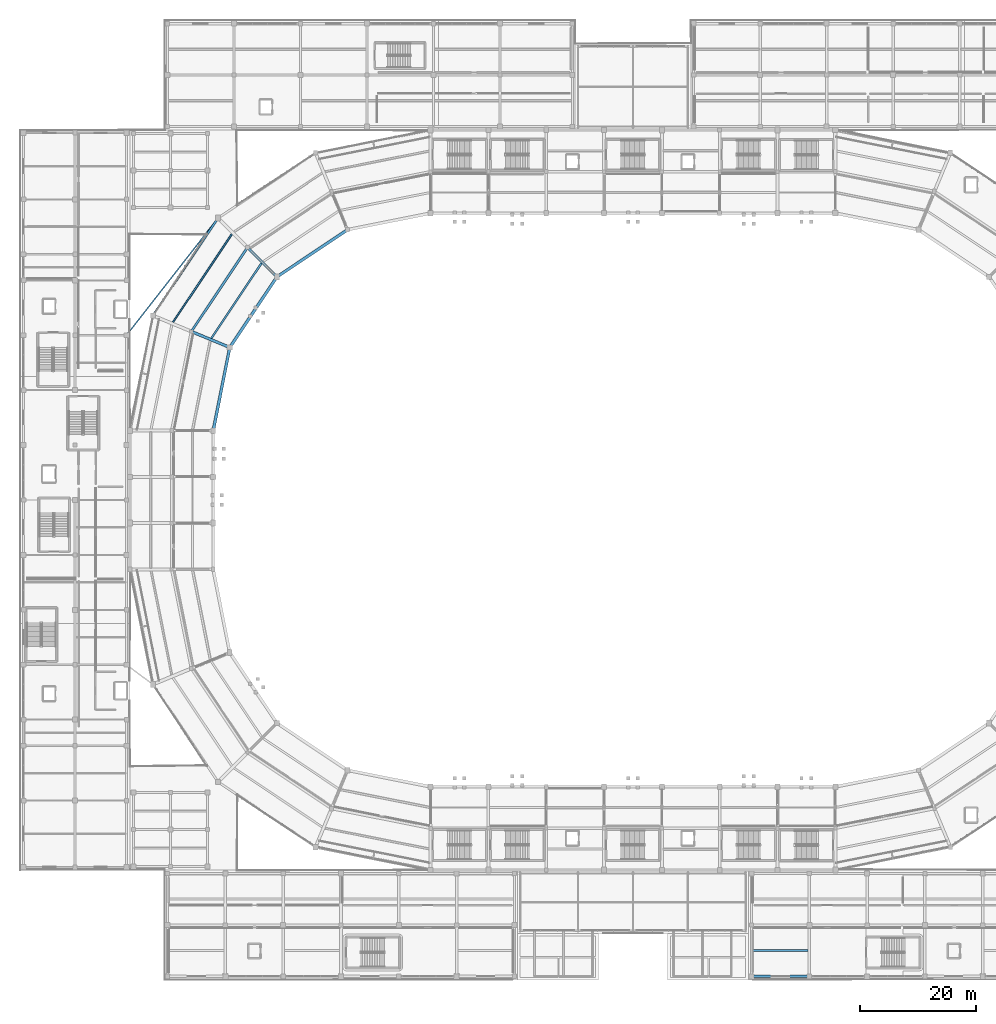
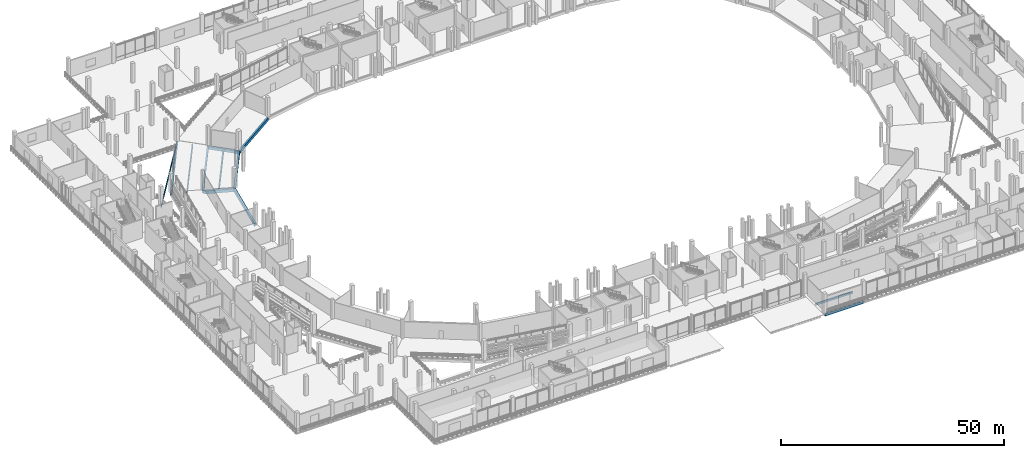
# One storey, part 32 of 114: 12 beams.
"""IFC4 building model written with IfcOpenShell, lengths in metres."""

from ifc_helpers import new_model, si_unit, direction, frame, origin, origin_2d, place, context, subcontext, project, spatial, rectangle, i_section, extrude, material, material_profile, profile_set, type_object, element, save


model = new_model("IFC4")

# Units and contexts
model_context = context("Model", 3, precision=1e-05, world=origin(), true_north=direction((0.0, 1.0)))
body_context = subcontext(model_context, "Body", "Model", "MODEL_VIEW")
ifc_project = project(units=[si_unit("LENGTHUNIT", "METRE"), si_unit("AREAUNIT", "SQUARE_METRE"), si_unit("VOLUMEUNIT", "CUBIC_METRE"), si_unit("PLANEANGLEUNIT", "RADIAN"), si_unit("MASSUNIT", "GRAM", prefix="KILO")], contexts=[model_context])

# Site, building, storey
site_placement = place(None, origin())
site = spatial("IfcSite", under=ifc_project, at=site_placement, CompositionType="ELEMENT")
building_placement = place(site_placement, origin())
building = spatial("IfcBuilding", under=site, at=building_placement, Name="Candeia Ridge Stadium", CompositionType="ELEMENT")
storey_placement = place(building_placement, frame((0.0, 0.0, 5.39990234375)))
storey = spatial("IfcBuildingStorey", under=building, at=storey_placement, Name="L01", CompositionType="ELEMENT", Elevation=5.39990234375)

# Beams
ifc_material_1 = material(Name="Concrete C40/50", Category="concrete")
ifc_material_profile_1 = material_profile(ifc_material_1, rectangle(XDim=0.27001953125, YDim=0.43994140625, at=origin_2d()), Name="RC270x440", Category="concrete")
ifc_profile_set_1 = profile_set([ifc_material_profile_1], Name="Concrete C40/50")
beam_type_1 = type_object("IfcBeamType", Name="Floor Joist RC270x440", PredefinedType="JOIST", material=ifc_profile_set_1)
beam_1_placement = place(storey_placement, frame((36.652587890625, 129.039306640625, -0.47998046875), z_axis=(-0.555573683674, -0.831467306639, 0.0), x_axis=(0.831467306639, -0.555573683674, 0.0)))
element("IfcBeam", 1, at=beam_1_placement, inside=storey, type_object=beam_type_1, Name="Concourse secondary joist BM-L01-0117", PredefinedType="JOIST", context=body_context, shape_type="SweptSolid", body=[
    extrude(rectangle(XDim=0.27001953125, YDim=0.43994140625, at=origin_2d()), origin(), (0.0, 0.0, 1.0), 18.440673828125),
])
ifc_material_profile_2 = material_profile(ifc_material_1, rectangle(XDim=0.320068359375, YDim=0.52001953125, at=origin_2d()), Name="RC320x520", Category="concrete")
ifc_profile_set_2 = profile_set([ifc_material_profile_2], Name="Concrete C40/50")
beam_type_2 = type_object("IfcBeamType", Name="Floor Joist RC320x520", PredefinedType="JOIST", material=ifc_profile_set_2)
beam_2_placement = place(storey_placement, frame((41.743896484375, 123.9482421875, -0.52001953125), z_axis=(-0.555568527312, -0.831470752017, 0.0), x_axis=(0.831470752017, -0.555568527312, 0.0)))
element("IfcBeam", 2, at=beam_2_placement, inside=storey, type_object=beam_type_2, Name="Concourse secondary joist BM-L01-0116", PredefinedType="JOIST", context=body_context, shape_type="SweptSolid", body=[
    extrude(rectangle(XDim=0.320068359375, YDim=0.52001953125, at=origin_2d()), origin(), (0.0, 0.0, 1.0), 15.63134765625),
])
ifc_material_profile_3 = material_profile(ifc_material_1, rectangle(XDim=0.35009765625, YDim=0.5, at=origin_2d()), Name="RC350x500", Category="concrete")
ifc_profile_set_3 = profile_set([ifc_material_profile_3], Name="Concrete C40/50")
beam_type_3 = type_object("IfcBeamType", Name="Floor Joist RC350x500", PredefinedType="JOIST", material=ifc_profile_set_3)
beam_3_placement = place(storey_placement, frame((126.674560546875, 5.050048828125, -0.510009765625), z_axis=(1.0, 0.0, 0.0), x_axis=(0.0, 1.0, 0.0)))
element("IfcBeam", 3, at=beam_3_placement, inside=storey, type_object=beam_type_3, Name="Wing secondary joist BM-L01-1992", PredefinedType="JOIST", context=body_context, shape_type="SweptSolid", body=[
    extrude(rectangle(XDim=0.35009765625, YDim=0.5, at=origin_2d()), origin(), (0.0, 0.0, 1.0), 9.600830078125),
])
ifc_material_profile_4 = material_profile(ifc_material_1, rectangle(XDim=0.429931640625, YDim=0.739990234375, at=origin_2d()), Name="RC430x740", Category="concrete")
ifc_profile_set_4 = profile_set([ifc_material_profile_4], Name="Concrete C40/50")
beam_type_4 = type_object("IfcBeamType", Name="Frame Girder RC430x740", PredefinedType="BEAM", material=ifc_profile_set_4)
beam_4_placement = place(storey_placement, frame((44.299560546875, 121.700439453125, -0.6298828125), z_axis=(-0.707106781187, 0.707106781187, 0.0), x_axis=(-0.707106781187, -0.707106781187, 0.0)))
element("IfcBeam", 4, at=beam_4_placement, inside=storey, type_object=beam_type_4, Name="Bowl radial girder BM-L01-0019", PredefinedType="BEAM", context=body_context, shape_type="SweptSolid", body=[
    extrude(rectangle(XDim=0.429931640625, YDim=0.739990234375, at=origin_2d()), origin(), (0.0, 0.0, 1.0), 6.8798828125),
])
ifc_material_2 = material(Name="Concrete C45/55", Category="concrete")
ifc_material_profile_5 = material_profile(ifc_material_2, rectangle(XDim=0.47998046875, YDim=0.820068359375, at=origin_2d()), Name="RC480x820", Category="concrete")
ifc_profile_set_5 = profile_set([ifc_material_profile_5], Name="Concrete C45/55")
beam_type_5 = type_object("IfcBeamType", Name="Frame Girder RC480x820", PredefinedType="BEAM", material=ifc_profile_set_5)
beam_5_placement = place(storey_placement, frame((36.1142578125, 109.4501953125, -0.669921875), z_axis=(-0.923880161031, 0.382681914982, 0.0), x_axis=(-0.382681914982, -0.923880161031, 0.0)))
element("IfcBeam", 5, at=beam_5_placement, inside=storey, type_object=beam_type_5, Name="Bowl radial girder BM-L01-0021", PredefinedType="BEAM", context=body_context, shape_type="SweptSolid", body=[
    extrude(rectangle(XDim=0.47998046875, YDim=0.820068359375, at=origin_2d()), origin(), (0.0, 0.0, 1.0), 6.8798828125),
])
ifc_material_profile_6 = material_profile(ifc_material_1, rectangle(XDim=0.5, YDim=0.800048828125, at=origin_2d()), Name="RC500x800", Category="concrete")
ifc_profile_set_6 = profile_set([ifc_material_profile_6], Name="Concrete C40/50")
beam_type_6 = type_object("IfcBeamType", Name="Frame Girder RC500x800", PredefinedType="BEAM", material=ifc_profile_set_6)
for number, where, z_axis, x_axis, name in (
    (6, (56.47802734375, 129.64892578125, -0.659912109375), (-0.831466176057, -0.55557537569, 0.0), (0.55557537569, -0.831466176057, 0.0), "Bowl inner ring girder BM-L01-0108"),
    (7, (44.323974609375, 121.4541015625, -0.659912109375), (-0.55557537569, -0.831466176057, 0.0), (0.831466176057, -0.55557537569, 0.0), "Bowl inner ring girder BM-L01-0113"),
    (8, (36.23095703125, 109.23193359375, -0.659912109375), (-0.195098555341, -0.980783642657, 0.0), (0.980783642657, -0.195098555341, 0.0), "Bowl inner ring girder BM-L01-0118"),
):
    element("IfcBeam", number, at=place(storey_placement, frame(where, z_axis=z_axis, x_axis=x_axis)), inside=storey, type_object=beam_type_6, Name=name, PredefinedType="BEAM", context=body_context, shape_type="SweptSolid", body=[
        extrude(rectangle(XDim=0.5, YDim=0.800048828125, at=origin_2d()), origin(), (0.0, 0.0, 1.0), 14.350830078125),
    ])
ifc_material_3 = material(Name="Steel ASTM A572 Grade 50", Category="steel")
ifc_material_profile_7 = material_profile(ifc_material_3, i_section(OverallWidth=0.208984375, OverallDepth=0.532958984375, WebThickness=0.01025390625, FlangeThickness=0.015625, FilletRadius=0.013916015625, at=origin_2d()), Name="W530x92", Category="steel")
ifc_profile_set_7 = profile_set([ifc_material_profile_7], Name="Steel ASTM A572 Grade 50")
beam_type_7 = type_object("IfcBeamType", Name="Gate Portal Girder W530x92", PredefinedType="BEAM", material=ifc_profile_set_7)
beam_6_placement = place(storey_placement, frame((18.4306640625, 111.539306640625, -0.556396484375), z_axis=(0.615520131568, 0.788121163042, 0.0), x_axis=(-0.788121163042, 0.615520131568, 0.0)))
element("IfcBeam", 9, at=beam_6_placement, inside=storey, type_object=beam_type_7, Name="Wing-to-bowl tie girder BM-L01-2546", PredefinedType="BEAM", context=body_context, shape_type="SweptSolid", body=[
    extrude(i_section(OverallWidth=0.208984375, OverallDepth=0.532958984375, WebThickness=0.01025390625, FlangeThickness=0.015625, FilletRadius=0.013916015625, at=origin_2d()), origin(), (0.0, 0.0, 1.0), 25.619140625),
])
ifc_material_profile_8 = material_profile(ifc_material_2, rectangle(XDim=0.3701171875, YDim=0.739990234375, at=origin_2d()), Name="RC370x740", Category="concrete")
ifc_profile_set_8 = profile_set([ifc_material_profile_8], Name="Concrete C45/55")
beam_type_8 = type_object("IfcBeamType", Name="Spandrel Beam RC370x740", PredefinedType="SPANDREL", material=ifc_profile_set_8)
beam_7_placement = place(storey_placement, frame((34.1416015625, 131.636474609375, -0.6298828125), z_axis=(-0.555571676938, -0.831468647505, 0.0), x_axis=(0.831468647505, -0.555571676938, 0.0)))
element("IfcBeam", 10, at=beam_7_placement, inside=storey, type_object=beam_type_8, Name="Bowl perimeter spandrel BM-L01-0115", PredefinedType="SPANDREL", context=body_context, shape_type="SweptSolid", body=[
    extrude(rectangle(XDim=0.3701171875, YDim=0.739990234375, at=origin_2d()), origin(), (0.0, 0.0, 1.0), 19.969482421875),
])
ifc_material_profile_9 = material_profile(ifc_material_1, rectangle(XDim=0.39990234375, YDim=0.64990234375, at=origin_2d()), Name="RC400x650", Category="concrete")
ifc_profile_set_9 = profile_set([ifc_material_profile_9], Name="Concrete C40/50")
beam_type_9 = type_object("IfcBeamType", Name="Wing Primary Girder RC400x650", PredefinedType="BEAM", material=ifc_profile_set_9)
beam_8_placement = place(storey_placement, frame((39.2939453125, 126.63671875, -0.5849609375), z_axis=(-0.555578373482, -0.831464172962, 0.0), x_axis=(0.831464172962, -0.555578373482, 0.0)))
element("IfcBeam", 11, at=beam_8_placement, inside=storey, type_object=beam_type_9, Name="Concourse spine girder BM-L01-0114", PredefinedType="BEAM", context=body_context, shape_type="SweptSolid", body=[
    extrude(rectangle(XDim=0.39990234375, YDim=0.64990234375, at=origin_2d()), origin(), (0.0, 0.0, 1.0), 17.380126953125),
])
beam_9_placement = place(storey_placement, frame((126.550048828125, 0.60009765625, -0.5849609375), z_axis=(1.0, 0.0, 0.0), x_axis=(0.0, 1.0, 0.0)))
element("IfcBeam", 12, at=beam_9_placement, inside=storey, type_object=beam_type_9, Name="Structural girder BM-L01-1991", PredefinedType="BEAM", context=body_context, shape_type="SweptSolid", body=[
    extrude(rectangle(XDim=0.39990234375, YDim=0.64990234375, at=origin_2d()), origin(), (0.0, 0.0, 1.0), 9.89990234375),
])

save(model, "model.ifc")
